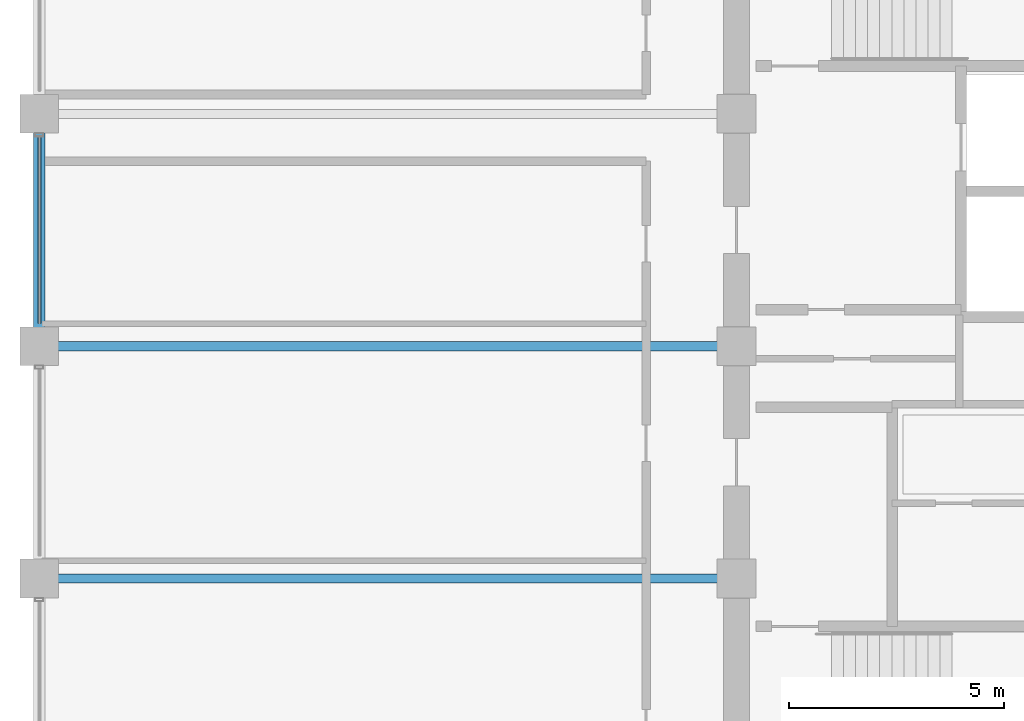
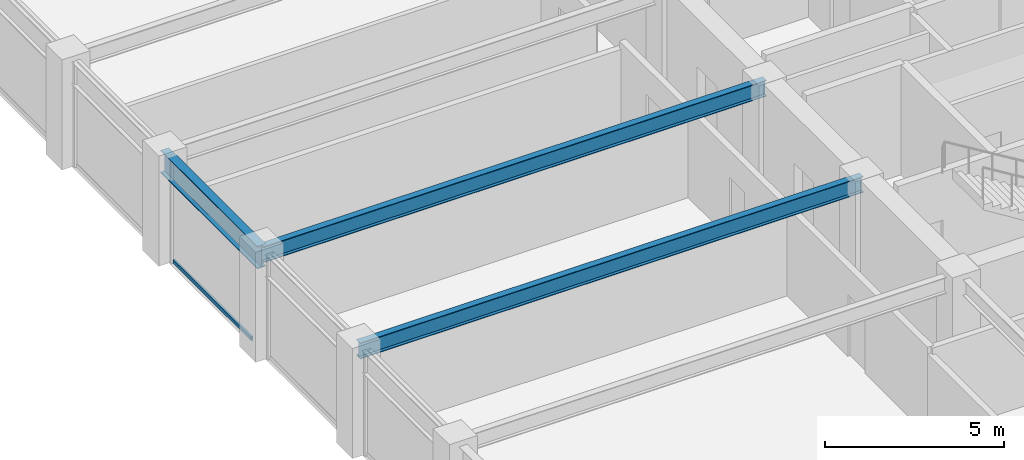
# One storey, part 9 of 32: 3 beams, 1 member, 1 element without a shape of its own.
"""IFC4 building model written with IfcOpenShell, lengths in metres."""

from ifc_helpers import new_model, si_unit, direction, frame, origin, origin_2d, place, context, subcontext, project, spatial, hollow_rectangle, i_section, extrude, material, layer, layer_set, material_profile, profile_set, type_object, element, aggregate, save


model = new_model("IFC4")

# Units and contexts
model_context = context("Model", 3, precision=1e-05, world=origin(), true_north=direction((0.0, 1.0)))
body_context = subcontext(model_context, "Body", "Model", "MODEL_VIEW")
ifc_project = project(units=[si_unit("LENGTHUNIT", "METRE"), si_unit("AREAUNIT", "SQUARE_METRE"), si_unit("VOLUMEUNIT", "CUBIC_METRE"), si_unit("PLANEANGLEUNIT", "RADIAN"), si_unit("MASSUNIT", "GRAM", prefix="KILO")], contexts=[model_context])

# Site, building, storey
site_placement = place(None, origin())
site = spatial("IfcSite", under=ifc_project, at=site_placement, CompositionType="ELEMENT")
building_placement = place(site_placement, origin())
building = spatial("IfcBuilding", under=site, at=building_placement, Name="Surkhivell Harbour Commons", CompositionType="ELEMENT")
storey_placement = place(building_placement, frame((0.0, 0.0, 201.0)))
storey = spatial("IfcBuildingStorey", under=building, at=storey_placement, Name="L52", CompositionType="ELEMENT", Elevation=201.0)

# Beams
ifc_material_1 = material(Name="Steel S355", Category="steel")
ifc_material_profile_1 = material_profile(ifc_material_1, i_section(OverallWidth=0.2119140625, OverallDepth=0.5439453125, WebThickness=0.0126953125, FlangeThickness=0.021240234375, at=origin_2d()), Name="UB533x210x122")
ifc_profile_set_1 = profile_set([ifc_material_profile_1], Name="Steel S355")
beam_type_1 = type_object("IfcBeamType", Name="BM-GRD-533A", PredefinedType="BEAM", material=ifc_profile_set_1)
for number, where, z_axis, x_axis, name in (
    (1, (-27.0, -5.39990234375, 3.298095703125), (1.0, 0.0, 0.0), (0.0, 1.0, 0.0), "L52 Floor Girder (-27.0,-5.4)"),
    (2, (-27.0, 0.0, 3.298095703125), (1.0, 0.0, 0.0), (0.0, 1.0, 0.0), "L52 Floor Girder (-27.0,0.0)"),
):
    element("IfcBeam", number, at=place(storey_placement, frame(where, z_axis=z_axis, x_axis=x_axis)), inside=storey, type_object=beam_type_1, Name=name, PredefinedType="BEAM", context=body_context, shape_type="SweptSolid", body=[
        extrude(i_section(OverallWidth=0.2119140625, OverallDepth=0.5439453125, WebThickness=0.0126953125, FlangeThickness=0.021240234375, at=origin_2d()), origin(), (0.0, 0.0, 1.0), 16.199951171875),
    ])
ifc_material_profile_2 = material_profile(ifc_material_1, i_section(OverallWidth=0.26806640625, OverallDepth=0.77001953125, WebThickness=0.015625, FlangeThickness=0.025390625, at=origin_2d()), Name="UB762x267x197")
ifc_profile_set_2 = profile_set([ifc_material_profile_2], Name="Steel S355")
beam_type_2 = type_object("IfcBeamType", Name="BM-SPN-762", PredefinedType="SPANDREL", material=ifc_profile_set_2)
beam_placement = place(storey_placement, frame((-27.0, 0.0, 3.18505859375), z_axis=(0.0, 1.0, 0.0), x_axis=(-1.0, 0.0, 0.0)))
element("IfcBeam", 3, at=beam_placement, inside=storey, type_object=beam_type_2, Name="L52 Tube Spandrel (-27.0,0.0)", PredefinedType="SPANDREL", context=body_context, shape_type="SweptSolid", body=[
    extrude(i_section(OverallWidth=0.26806640625, OverallDepth=0.77001953125, WebThickness=0.015625, FlangeThickness=0.025390625, at=origin_2d()), origin(), (0.0, 0.0, 1.0), 5.39990234375),
])

# Curtain wall, member
ifc_material_2 = material(Name="Anodised pale-metal aluminium and insulated glazing", Category="aluminium")
ifc_layer = layer(ifc_material_2, 0.18994140625)
ifc_layer_set = layer_set([ifc_layer], Name="Anodised pale-metal aluminium and insulated glazing")
curtain_wall_type = type_object("IfcCurtainWallType", Name="CW-SYS-Z3", PredefinedType="NOTDEFINED", material=ifc_layer_set)
curtain_wall_placement = place(storey_placement, origin())
curtain_wall = element("IfcCurtainWall", 4, at=curtain_wall_placement, inside=storey, type_object=curtain_wall_type, Name="L52 Curtain Wall CW-L52-E12S1", PredefinedType="NOTDEFINED")
ifc_material_3 = material(Name="Champagne anodised aluminium alloy 6063-T6", Category="aluminium")
ifc_material_profile_3 = material_profile(ifc_material_3, hollow_rectangle(XDim=0.070068359375, YDim=0.1298828125, WallThickness=0.00341796875, at=origin_2d()), Name="ALU-TRAN-70x130")
ifc_profile_set_3 = profile_set([ifc_material_profile_3], Name="Champagne anodised aluminium alloy 6063-T6")
member_type = type_object("IfcMemberType", Name="CWT-130", PredefinedType="USERDEFINED", material=ifc_profile_set_3)
member_placement = place(storey_placement, frame((-27.0, 4.873046875, 0.06494140625), z_axis=(0.0, -1.0, 0.0), x_axis=(1.0, 0.0, 0.0)))
member = element("IfcMember", 5, at=member_placement, type_object=member_type, Name="CW-Z3 transom 4.1", ObjectType="TRANSOM", PredefinedType="USERDEFINED", context=body_context, shape_type="SweptSolid", body=[
    extrude(hollow_rectangle(XDim=0.070068359375, YDim=0.1298828125, WallThickness=0.00341796875, at=origin_2d()), origin(), (0.0, 0.0, 1.0), 4.345947265625),
])
aggregate(curtain_wall, [member])

save(model, "model.ifc")
